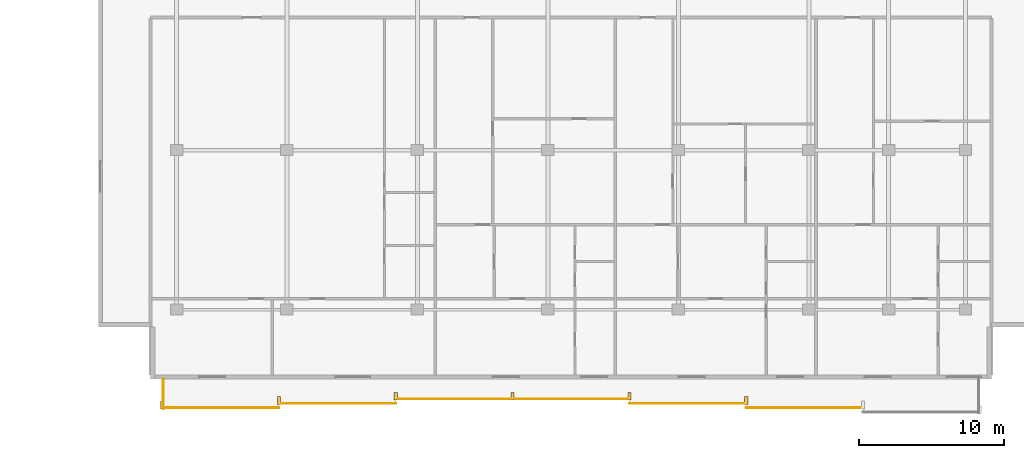
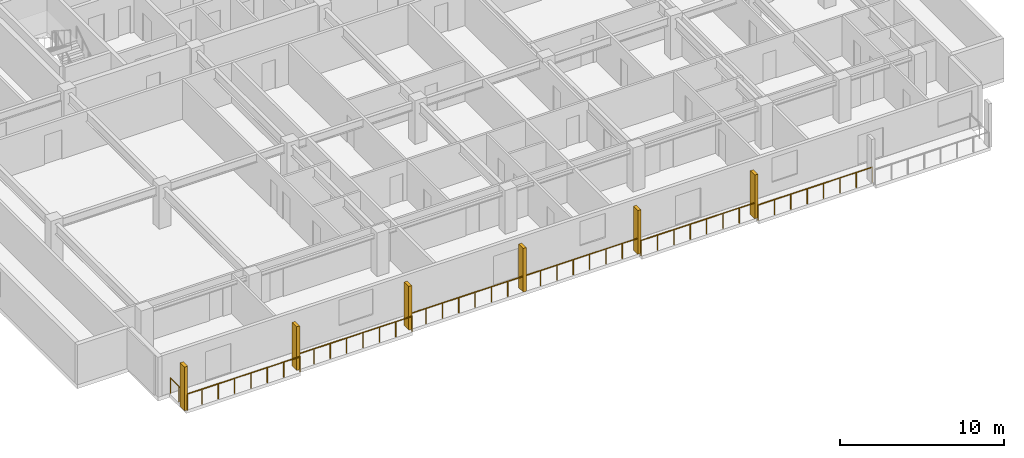
# One storey, part 17 of 21: 6 railings, 6 shading devices.
"""IFC4 building model written with IfcOpenShell, lengths in metres."""

from ifc_helpers import new_model, si_unit, direction, frame, origin, origin_2d, place, context, subcontext, project, spatial, rectangle, circle, extrude, material, type_object, element, save


model = new_model("IFC4")

# Units and contexts
model_context = context("Model", 3, precision=1e-05, world=origin(), true_north=direction((0.0, 1.0)))
body_context = subcontext(model_context, "Body", "Model", "MODEL_VIEW")
ifc_project = project(units=[si_unit("LENGTHUNIT", "METRE"), si_unit("AREAUNIT", "SQUARE_METRE"), si_unit("VOLUMEUNIT", "CUBIC_METRE"), si_unit("PLANEANGLEUNIT", "RADIAN"), si_unit("MASSUNIT", "GRAM", prefix="KILO")], contexts=[model_context])

# Site, building, storey
site_placement = place(None, origin())
site = spatial("IfcSite", under=ifc_project, at=site_placement, CompositionType="ELEMENT")
building_placement = place(site_placement, origin())
building = spatial("IfcBuilding", under=site, at=building_placement, Name="Korimba Cascade Residences", CompositionType="ELEMENT")
storey_placement = place(building_placement, frame((0.0, 0.0, 106.800048828125)))
storey = spatial("IfcBuildingStorey", under=building, at=storey_placement, Name="L30", CompositionType="ELEMENT", Elevation=106.800048828125)

# Railings
ifc_material_1 = material(Name="Laminated Glass and Bronze Balustrade", Category="glass")
railing_type = type_object("IfcRailingType", Name="RLG-LOG-1150", PredefinedType="BALUSTRADE", material=ifc_material_1)
for number, where, name in (
    (1, (73.5, -10.969970703125, 0.0), "L30 Perimeter Guardrail RLG-L30-T2-LOG-01"),
    (2, (81.55712890625, -10.669921875, 0.0), "L30 Perimeter Guardrail RLG-L30-T2-LOG-02"),
):
    element("IfcRailing", number, at=place(storey_placement, frame(where)), inside=storey, type_object=railing_type, Name=name, PredefinedType="BALUSTRADE", context=body_context, shape_type="SweptSolid", body=[
        extrude(circle(Radius=0.02392578125, at=origin_2d()), frame((0.0, 0.0, 1.1259765625), z_axis=(1.0, 0.0, 0.0), x_axis=(0.0, 1.0, 0.0)), (0.0, 0.0, 1.0), 8.05712890625),
        extrude(circle(Radius=0.02099609375, at=origin_2d()), origin(), (0.0, 0.0, 1.0), 1.101806640625),
        extrude(circle(Radius=0.02099609375, at=origin_2d()), frame((1.151123046875, 0.0, 0.0)), (0.0, 0.0, 1.0), 1.101806640625),
        extrude(circle(Radius=0.02099609375, at=origin_2d()), frame((2.302001953125, 0.0, 0.0)), (0.0, 0.0, 1.0), 1.101806640625),
        extrude(circle(Radius=0.02099609375, at=origin_2d()), frame((3.453125, 0.0, 0.0)), (0.0, 0.0, 1.0), 1.101806640625),
        extrude(circle(Radius=0.02099609375, at=origin_2d()), frame((4.60400390625, 0.0, 0.0)), (0.0, 0.0, 1.0), 1.101806640625),
        extrude(circle(Radius=0.02099609375, at=origin_2d()), frame((5.755126953125, 0.0, 0.0)), (0.0, 0.0, 1.0), 1.101806640625),
        extrude(circle(Radius=0.02099609375, at=origin_2d()), frame((6.906005859375, 0.0, 0.0)), (0.0, 0.0, 1.0), 1.101806640625),
        extrude(circle(Radius=0.02099609375, at=origin_2d()), frame((8.05712890625, 0.0, 0.0)), (0.0, 0.0, 1.0), 1.101806640625),
    ])
railing_1_placement = place(storey_placement, frame((89.6142578125, -10.3701171875, 0.0)))
element("IfcRailing", 3, at=railing_1_placement, inside=storey, type_object=railing_type, Name="L30 Perimeter Guardrail RLG-L30-T2-LOG-03", PredefinedType="BALUSTRADE", context=body_context, shape_type="SweptSolid", body=[
    extrude(circle(Radius=0.02392578125, at=origin_2d()), frame((0.0, 0.0, 1.1259765625), z_axis=(1.0, 0.0, 0.0), x_axis=(0.0, 1.0, 0.0)), (0.0, 0.0, 1.0), 16.1142578125),
    extrude(circle(Radius=0.02099609375, at=origin_2d()), origin(), (0.0, 0.0, 1.0), 1.101806640625),
    extrude(circle(Radius=0.02099609375, at=origin_2d()), frame((1.151123046875, 0.0, 0.0)), (0.0, 0.0, 1.0), 1.101806640625),
    extrude(circle(Radius=0.02099609375, at=origin_2d()), frame((2.302001953125, 0.0, 0.0)), (0.0, 0.0, 1.0), 1.101806640625),
    extrude(circle(Radius=0.02099609375, at=origin_2d()), frame((3.453125, 0.0, 0.0)), (0.0, 0.0, 1.0), 1.101806640625),
    extrude(circle(Radius=0.02099609375, at=origin_2d()), frame((4.60400390625, 0.0, 0.0)), (0.0, 0.0, 1.0), 1.101806640625),
    extrude(circle(Radius=0.02099609375, at=origin_2d()), frame((5.755126953125, 0.0, 0.0)), (0.0, 0.0, 1.0), 1.101806640625),
    extrude(circle(Radius=0.02099609375, at=origin_2d()), frame((6.906005859375, 0.0, 0.0)), (0.0, 0.0, 1.0), 1.101806640625),
    extrude(circle(Radius=0.02099609375, at=origin_2d()), frame((8.05712890625, 0.0, 0.0)), (0.0, 0.0, 1.0), 1.101806640625),
    extrude(circle(Radius=0.02099609375, at=origin_2d()), frame((9.208251953125, 0.0, 0.0)), (0.0, 0.0, 1.0), 1.101806640625),
    extrude(circle(Radius=0.02099609375, at=origin_2d()), frame((10.359130859375, 0.0, 0.0)), (0.0, 0.0, 1.0), 1.101806640625),
    extrude(circle(Radius=0.02099609375, at=origin_2d()), frame((11.51025390625, 0.0, 0.0)), (0.0, 0.0, 1.0), 1.101806640625),
    extrude(circle(Radius=0.02099609375, at=origin_2d()), frame((12.6611328125, 0.0, 0.0)), (0.0, 0.0, 1.0), 1.101806640625),
    extrude(circle(Radius=0.02099609375, at=origin_2d()), frame((13.812255859375, 0.0, 0.0)), (0.0, 0.0, 1.0), 1.101806640625),
    extrude(circle(Radius=0.02099609375, at=origin_2d()), frame((14.963134765625, 0.0, 0.0)), (0.0, 0.0, 1.0), 1.101806640625),
    extrude(circle(Radius=0.02099609375, at=origin_2d()), frame((16.1142578125, 0.0, 0.0)), (0.0, 0.0, 1.0), 1.101806640625),
])
railing_2_placement = place(storey_placement, frame((105.728515625, -10.669921875, 0.0)))
element("IfcRailing", 4, at=railing_2_placement, inside=storey, type_object=railing_type, Name="L30 Perimeter Guardrail RLG-L30-T2-LOG-04", PredefinedType="BALUSTRADE", context=body_context, shape_type="SweptSolid", body=[
    extrude(circle(Radius=0.02392578125, at=origin_2d()), frame((0.0, 0.0, 1.1259765625), z_axis=(1.0, 0.0, 0.0), x_axis=(0.0, 1.0, 0.0)), (0.0, 0.0, 1.0), 8.05712890625),
    extrude(circle(Radius=0.02099609375, at=origin_2d()), origin(), (0.0, 0.0, 1.0), 1.101806640625),
    extrude(circle(Radius=0.02099609375, at=origin_2d()), frame((1.151123046875, 0.0, 0.0)), (0.0, 0.0, 1.0), 1.101806640625),
    extrude(circle(Radius=0.02099609375, at=origin_2d()), frame((2.302001953125, 0.0, 0.0)), (0.0, 0.0, 1.0), 1.101806640625),
    extrude(circle(Radius=0.02099609375, at=origin_2d()), frame((3.453125, 0.0, 0.0)), (0.0, 0.0, 1.0), 1.101806640625),
    extrude(circle(Radius=0.02099609375, at=origin_2d()), frame((4.60400390625, 0.0, 0.0)), (0.0, 0.0, 1.0), 1.101806640625),
    extrude(circle(Radius=0.02099609375, at=origin_2d()), frame((5.755126953125, 0.0, 0.0)), (0.0, 0.0, 1.0), 1.101806640625),
    extrude(circle(Radius=0.02099609375, at=origin_2d()), frame((6.906005859375, 0.0, 0.0)), (0.0, 0.0, 1.0), 1.101806640625),
    extrude(circle(Radius=0.02099609375, at=origin_2d()), frame((8.05712890625, 0.0, 0.0)), (0.0, 0.0, 1.0), 1.101806640625),
])
railing_3_placement = place(storey_placement, frame((113.78564453125, -10.969970703125, 0.0)))
element("IfcRailing", 5, at=railing_3_placement, inside=storey, type_object=railing_type, Name="L30 Perimeter Guardrail RLG-L30-T2-LOG-05", PredefinedType="BALUSTRADE", context=body_context, shape_type="SweptSolid", body=[
    extrude(circle(Radius=0.02392578125, at=origin_2d()), frame((0.0, 0.0, 1.1259765625), z_axis=(1.0, 0.0, 0.0), x_axis=(0.0, 1.0, 0.0)), (0.0, 0.0, 1.0), 8.057373046875),
    extrude(circle(Radius=0.02099609375, at=origin_2d()), origin(), (0.0, 0.0, 1.0), 1.101806640625),
    extrude(circle(Radius=0.02099609375, at=origin_2d()), frame((1.151123046875, 0.0, 0.0)), (0.0, 0.0, 1.0), 1.101806640625),
    extrude(circle(Radius=0.02099609375, at=origin_2d()), frame((2.302001953125, 0.0, 0.0)), (0.0, 0.0, 1.0), 1.101806640625),
    extrude(circle(Radius=0.02099609375, at=origin_2d()), frame((3.453125, 0.0, 0.0)), (0.0, 0.0, 1.0), 1.101806640625),
    extrude(circle(Radius=0.02099609375, at=origin_2d()), frame((4.604248046875, 0.0, 0.0)), (0.0, 0.0, 1.0), 1.101806640625),
    extrude(circle(Radius=0.02099609375, at=origin_2d()), frame((5.75537109375, 0.0, 0.0)), (0.0, 0.0, 1.0), 1.101806640625),
    extrude(circle(Radius=0.02099609375, at=origin_2d()), frame((6.90625, 0.0, 0.0)), (0.0, 0.0, 1.0), 1.101806640625),
    extrude(circle(Radius=0.02099609375, at=origin_2d()), frame((8.057373046875, 0.0, 0.0)), (0.0, 0.0, 1.0), 1.101806640625),
])
railing_4_placement = place(storey_placement, frame((73.580078125, -9.0, 0.0)))
element("IfcRailing", 6, at=railing_4_placement, inside=storey, type_object=railing_type, Name="L30 Perimeter Guardrail RLG-L30-T2-LOG-08", PredefinedType="BALUSTRADE", context=body_context, shape_type="SweptSolid", body=[
    extrude(circle(Radius=0.02392578125, at=origin_2d()), frame((0.0, 0.0, 1.1259765625), z_axis=(0.0, -1.0, 0.0), x_axis=(1.0, 0.0, 0.0)), (0.0, 0.0, 1.0), 2.050048828125),
    extrude(circle(Radius=0.02099609375, at=origin_2d()), origin(), (0.0, 0.0, 1.0), 1.101806640625),
    extrude(circle(Radius=0.02099609375, at=origin_2d()), frame((0.0, -1.02490234375, 0.0)), (0.0, 0.0, 1.0), 1.101806640625),
    extrude(circle(Radius=0.02099609375, at=origin_2d()), frame((0.0, -2.050048828125, 0.0)), (0.0, 0.0, 1.0), 1.101806640625),
])

# Shading devices
ifc_material_2 = material(Name="Honed Sandstone Precast Fin", Category="masonry")
shading_device_type = type_object("IfcShadingDeviceType", Name="SHD-FIN-550", PredefinedType="USERDEFINED", material=ifc_material_2)
for number, where, z_axis, x_axis, name in (
    (7, (73.5, -10.77490234375, 0.0), (0.0, 0.0, 1.0), (1.0, 0.0, 0.0), "L30 T2 Warm-Stone Loggia Fin 1"),
    (8, (81.55712890625, -10.47509765625, 0.0), (0.0, 0.0, 1.0), (1.0, 0.0, 0.0), "L30 T2 Warm-Stone Loggia Fin 2"),
    (9, (89.6142578125, -10.175048828125, 0.0), (0.0, 0.0, 1.0), (1.0, 0.0, 0.0), "L30 T2 Warm-Stone Loggia Fin 3"),
    (10, (97.67138671875, -10.175048828125, 0.0), (0.0, 0.0, 1.0), (1.0, 0.0, 0.0), "L30 T2 Warm-Stone Loggia Fin 4"),
    (11, (105.728515625, -10.175048828125, 0.0), (0.0, 0.0, 1.0), (1.0, 0.0, 0.0), "L30 T2 Warm-Stone Loggia Fin 5"),
    (12, (113.78564453125, -10.47509765625, 0.0), (0.0, 0.0, 1.0), (1.0, 0.0, 0.0), "L30 T2 Warm-Stone Loggia Fin 6"),
):
    element("IfcShadingDevice", number, at=place(storey_placement, frame(where, z_axis=z_axis, x_axis=x_axis)), inside=storey, type_object=shading_device_type, Name=name, ObjectType="FIN", PredefinedType="USERDEFINED", context=body_context, shape_type="SweptSolid", body=[
        extrude(rectangle(XDim=0.219970703125, YDim=0.550048828125, at=origin_2d()), origin(), (0.0, 0.0, 1.0), 3.25),
    ])

save(model, "model.ifc")
